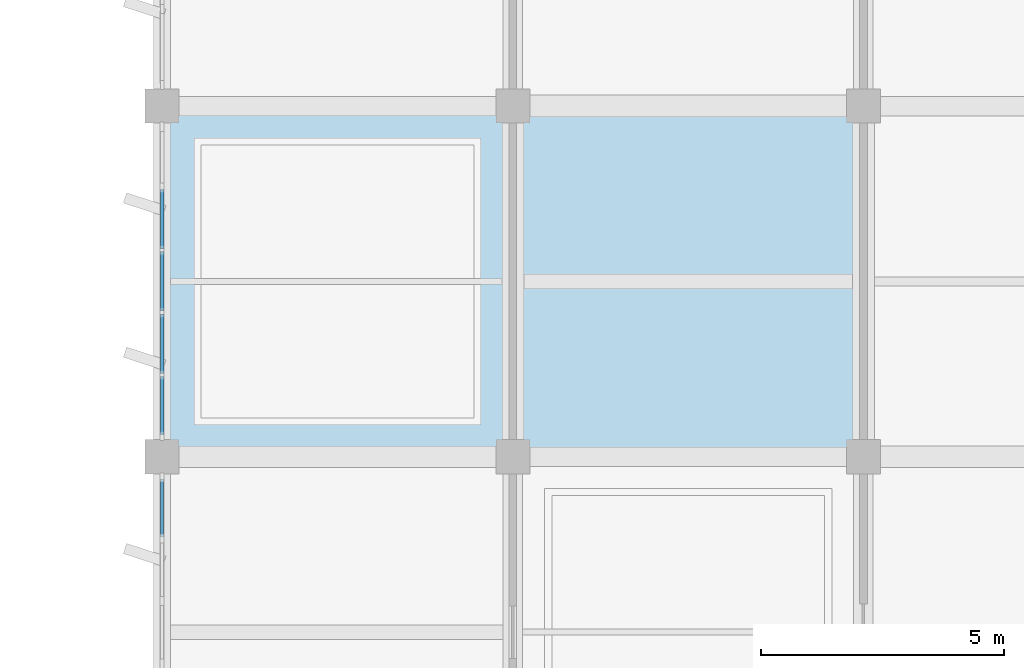
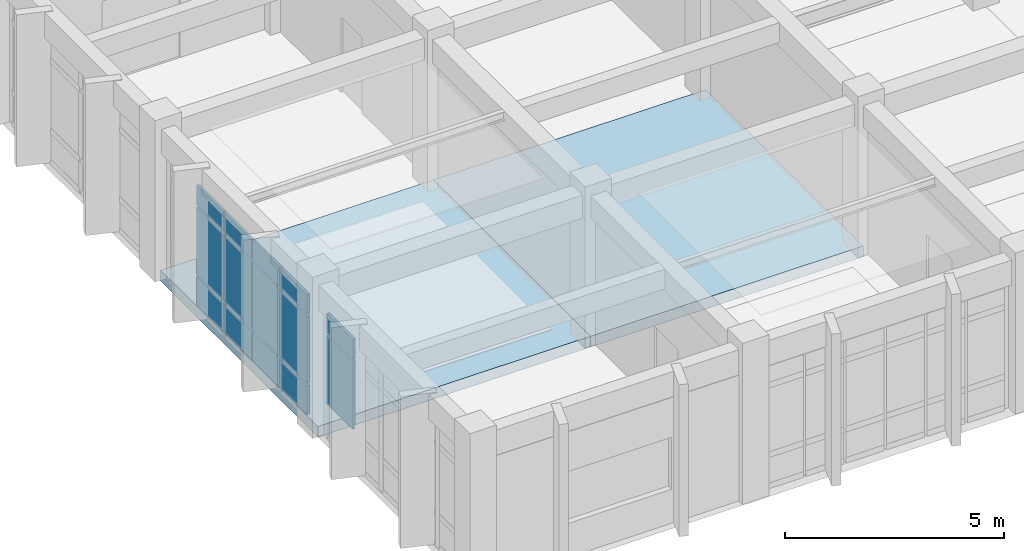
# One storey, part 44 of 81: 14 plates, 2 slabs, 2 elements without a shape of their own.
"""IFC4 building model written with IfcOpenShell, lengths in metres."""

from ifc_helpers import new_model, si_unit, direction, frame, origin, origin_2d, place, context, subcontext, project, spatial, polyline, rectangle, outline, extrude, material, layer, layer_set, type_object, element, aggregate, save


model = new_model("IFC4")

# Units and contexts
model_context = context("Model", 3, precision=1e-05, world=origin(), true_north=direction((0.0, 1.0)))
body_context = subcontext(model_context, "Body", "Model", "MODEL_VIEW")
ifc_project = project(units=[si_unit("LENGTHUNIT", "METRE"), si_unit("AREAUNIT", "SQUARE_METRE"), si_unit("VOLUMEUNIT", "CUBIC_METRE"), si_unit("PLANEANGLEUNIT", "RADIAN"), si_unit("MASSUNIT", "GRAM", prefix="KILO")], contexts=[model_context])

# Site, building, storey
site_placement = place(None, origin())
site = spatial("IfcSite", under=ifc_project, at=site_placement, CompositionType="ELEMENT")
building_placement = place(site_placement, origin())
building = spatial("IfcBuilding", under=site, at=building_placement, Name="Kavelor Marine Aquarium", CompositionType="ELEMENT")
storey_placement = place(building_placement, frame((0.0, 0.0, 4.679931640625)))
storey = spatial("IfcBuildingStorey", under=building, at=storey_placement, Name="L01", CompositionType="ELEMENT", Elevation=4.679931640625)

# Curtain wall, plates
ifc_material_1 = material(Name="Thermally Broken Aluminium and Low-E Glass", Category="aluminium")
ifc_layer_1 = layer(ifc_material_1, 0.2041015625)
ifc_layer_set_1 = layer_set([ifc_layer_1], Name="CW-SYS8")
curtain_wall_type_1 = type_object("IfcCurtainWallType", Name="CW-SYS8", PredefinedType="USERDEFINED", material=ifc_layer_set_1)
curtain_wall_1_placement = place(storey_placement, origin())
curtain_wall_1 = element("IfcCurtainWall", 1, at=curtain_wall_1_placement, inside=storey, type_object=curtain_wall_type_1, Name="cw:y:L01:16_07", ObjectType="Curtain Wall", PredefinedType="USERDEFINED")
ifc_material_2 = material(Name="Solar-Control Double Low-E Glazing", Category="glass")
ifc_layer_2 = layer(ifc_material_2, 0.06396484375)
ifc_layer_set_2 = layer_set([ifc_layer_2], Name="CWP-20")
plate_type_1 = type_object("IfcPlateType", Name="CWP-20", PredefinedType="CURTAIN_PANEL", material=ifc_layer_set_2)
plate_1_placement = place(storey_placement, frame((118.39990234375, 59.34765625, 0.9326171875), z_axis=(0.0, 0.0, 1.0), x_axis=(0.0, -1.0, 0.0)))
plate_1 = element("IfcPlate", 2, at=plate_1_placement, type_object=plate_type_1, Name="CW08 panel 1.2", PredefinedType="CURTAIN_PANEL", context=body_context, shape_type="SweptSolid", body=[
    extrude(rectangle(XDim=1.1845703125, YDim=0.06396484375, at=origin_2d()), origin(), (0.0, 0.0, 1.0), 1.89501953125),
])
plate_2_placement = place(storey_placement, frame((118.39990234375, 59.34765625, 2.892578125), z_axis=(0.0, 0.0, 1.0), x_axis=(0.0, -1.0, 0.0)))
plate_2 = element("IfcPlate", 3, at=plate_2_placement, type_object=plate_type_1, Name="CW08 panel 1.3", PredefinedType="CURTAIN_PANEL", context=body_context, shape_type="SweptSolid", body=[
    extrude(rectangle(XDim=1.1845703125, YDim=0.06396484375, at=origin_2d()), origin(), (0.0, 0.0, 1.0), 0.552490234375),
])
aggregate(curtain_wall_1, [plate_1, plate_2])

ifc_material_3 = material(Name="Thermally Broken Aluminium and Low-E Glass", Category="aluminium")
ifc_layer_3 = layer(ifc_material_3, 0.2119140625)
ifc_layer_set_3 = layer_set([ifc_layer_3], Name="CW-SYS9")
curtain_wall_type_2 = type_object("IfcCurtainWallType", Name="CW-SYS9", PredefinedType="USERDEFINED", material=ifc_layer_set_3)
curtain_wall_2_placement = place(storey_placement, origin())
curtain_wall_2 = element("IfcCurtainWall", 4, at=curtain_wall_2_placement, inside=storey, type_object=curtain_wall_type_2, Name="cw:y:L01:16_08", ObjectType="Curtain Wall", PredefinedType="USERDEFINED")
ifc_material_4 = material(Name="Solar-Control Double Low-E Glazing", Category="glass")
ifc_layer_4 = layer(ifc_material_4, 0.06591796875)
ifc_layer_set_4 = layer_set([ifc_layer_4], Name="CWP-21")
plate_type_2 = type_object("IfcPlateType", Name="CWP-21", PredefinedType="CURTAIN_PANEL", material=ifc_layer_set_4)
plate_3_placement = place(storey_placement, frame((118.39990234375, 65.281982421875, 0.06494140625), z_axis=(0.0, 0.0, 1.0), x_axis=(0.0, -1.0, 0.0)))
plate_3 = element("IfcPlate", 5, at=plate_3_placement, type_object=plate_type_2, Name="CW09 panel 2.1", PredefinedType="CURTAIN_PANEL", context=body_context, shape_type="SweptSolid", body=[
    extrude(rectangle(XDim=1.221923828125, YDim=0.06591796875, at=origin_2d()), origin(), (0.0, 0.0, 1.0), 0.802490234375),
])
plate_4_placement = place(storey_placement, frame((118.39990234375, 65.281982421875, 0.9326171875), z_axis=(0.0, 0.0, 1.0), x_axis=(0.0, -1.0, 0.0)))
plate_4 = element("IfcPlate", 6, at=plate_4_placement, type_object=plate_type_2, Name="CW09 panel 2.2", PredefinedType="CURTAIN_PANEL", context=body_context, shape_type="SweptSolid", body=[
    extrude(rectangle(XDim=1.221923828125, YDim=0.06591796875, at=origin_2d()), origin(), (0.0, 0.0, 1.0), 1.875),
])
plate_5_placement = place(storey_placement, frame((118.39990234375, 65.281982421875, 2.87255859375), z_axis=(0.0, 0.0, 1.0), x_axis=(0.0, -1.0, 0.0)))
plate_5 = element("IfcPlate", 7, at=plate_5_placement, type_object=plate_type_2, Name="CW09 panel 2.3", PredefinedType="CURTAIN_PANEL", context=body_context, shape_type="SweptSolid", body=[
    extrude(rectangle(XDim=1.221923828125, YDim=0.06591796875, at=origin_2d()), origin(), (0.0, 0.0, 1.0), 0.552490234375),
])
plate_6_placement = place(storey_placement, frame((118.39990234375, 64.0, 0.06494140625), z_axis=(0.0, 0.0, 1.0), x_axis=(0.0, -1.0, 0.0)))
plate_6 = element("IfcPlate", 8, at=plate_6_placement, type_object=plate_type_2, Name="CW09 panel 3.1", PredefinedType="CURTAIN_PANEL", context=body_context, shape_type="SweptSolid", body=[
    extrude(rectangle(XDim=1.221923828125, YDim=0.06591796875, at=origin_2d()), origin(), (0.0, 0.0, 1.0), 0.802490234375),
])
plate_7_placement = place(storey_placement, frame((118.39990234375, 64.0, 0.9326171875), z_axis=(0.0, 0.0, 1.0), x_axis=(0.0, -1.0, 0.0)))
plate_7 = element("IfcPlate", 9, at=plate_7_placement, type_object=plate_type_2, Name="CW09 panel 3.2", PredefinedType="CURTAIN_PANEL", context=body_context, shape_type="SweptSolid", body=[
    extrude(rectangle(XDim=1.221923828125, YDim=0.06591796875, at=origin_2d()), origin(), (0.0, 0.0, 1.0), 1.875),
])
plate_8_placement = place(storey_placement, frame((118.39990234375, 64.0, 2.87255859375), z_axis=(0.0, 0.0, 1.0), x_axis=(0.0, -1.0, 0.0)))
plate_8 = element("IfcPlate", 10, at=plate_8_placement, type_object=plate_type_2, Name="CW09 panel 3.3", PredefinedType="CURTAIN_PANEL", context=body_context, shape_type="SweptSolid", body=[
    extrude(rectangle(XDim=1.221923828125, YDim=0.06591796875, at=origin_2d()), origin(), (0.0, 0.0, 1.0), 0.552490234375),
])
plate_9_placement = place(storey_placement, frame((118.39990234375, 62.718017578125, 0.06494140625), z_axis=(0.0, 0.0, 1.0), x_axis=(0.0, -1.0, 0.0)))
plate_9 = element("IfcPlate", 11, at=plate_9_placement, type_object=plate_type_2, Name="CW09 panel 4.1", PredefinedType="CURTAIN_PANEL", context=body_context, shape_type="SweptSolid", body=[
    extrude(rectangle(XDim=1.221923828125, YDim=0.06591796875, at=origin_2d()), origin(), (0.0, 0.0, 1.0), 0.802490234375),
])
plate_10_placement = place(storey_placement, frame((118.39990234375, 62.718017578125, 0.9326171875), z_axis=(0.0, 0.0, 1.0), x_axis=(0.0, -1.0, 0.0)))
plate_10 = element("IfcPlate", 12, at=plate_10_placement, type_object=plate_type_2, Name="CW09 panel 4.2", PredefinedType="CURTAIN_PANEL", context=body_context, shape_type="SweptSolid", body=[
    extrude(rectangle(XDim=1.221923828125, YDim=0.06591796875, at=origin_2d()), origin(), (0.0, 0.0, 1.0), 1.875),
])
plate_11_placement = place(storey_placement, frame((118.39990234375, 62.718017578125, 2.87255859375), z_axis=(0.0, 0.0, 1.0), x_axis=(0.0, -1.0, 0.0)))
plate_11 = element("IfcPlate", 13, at=plate_11_placement, type_object=plate_type_2, Name="CW09 panel 4.3", PredefinedType="CURTAIN_PANEL", context=body_context, shape_type="SweptSolid", body=[
    extrude(rectangle(XDim=1.221923828125, YDim=0.06591796875, at=origin_2d()), origin(), (0.0, 0.0, 1.0), 0.552490234375),
])
plate_12_placement = place(storey_placement, frame((118.39990234375, 61.450927734375, 0.06494140625), z_axis=(0.0, 0.0, 1.0), x_axis=(0.0, -1.0, 0.0)))
plate_12 = element("IfcPlate", 14, at=plate_12_placement, type_object=plate_type_2, Name="CW09 panel 5.1", PredefinedType="CURTAIN_PANEL", context=body_context, shape_type="SweptSolid", body=[
    extrude(rectangle(XDim=1.19189453125, YDim=0.06591796875, at=origin_2d()), origin(), (0.0, 0.0, 1.0), 0.802490234375),
])
plate_13_placement = place(storey_placement, frame((118.39990234375, 61.450927734375, 0.9326171875), z_axis=(0.0, 0.0, 1.0), x_axis=(0.0, -1.0, 0.0)))
plate_13 = element("IfcPlate", 15, at=plate_13_placement, type_object=plate_type_2, Name="CW09 panel 5.2", PredefinedType="CURTAIN_PANEL", context=body_context, shape_type="SweptSolid", body=[
    extrude(rectangle(XDim=1.19189453125, YDim=0.06591796875, at=origin_2d()), origin(), (0.0, 0.0, 1.0), 1.875),
])
plate_14_placement = place(storey_placement, frame((118.39990234375, 61.450927734375, 2.87255859375), z_axis=(0.0, 0.0, 1.0), x_axis=(0.0, -1.0, 0.0)))
plate_14 = element("IfcPlate", 16, at=plate_14_placement, type_object=plate_type_2, Name="CW09 panel 5.3", PredefinedType="CURTAIN_PANEL", context=body_context, shape_type="SweptSolid", body=[
    extrude(rectangle(XDim=1.19189453125, YDim=0.06591796875, at=origin_2d()), origin(), (0.0, 0.0, 1.0), 0.552490234375),
])
aggregate(curtain_wall_2, [plate_3, plate_4, plate_5, plate_6, plate_7, plate_8, plate_9, plate_10, plate_11, plate_12, plate_13, plate_14])

# Slabs
ifc_material_5 = material(Name="Concrete C40/50", Category="concrete")
ifc_layer_5 = layer(ifc_material_5, 0.300048828125)
ifc_layer_set_5 = layer_set([ifc_layer_5], Name="SL-FL1")
slab_type = type_object("IfcSlabType", Name="SL-FL1", PredefinedType="FLOOR", material=ifc_layer_set_5)
slab_1_placement = place(storey_placement, frame((0.0, 0.0, -0.300048828125)))
element("IfcSlab", 17, at=slab_1_placement, inside=storey, type_object=slab_type, Name="slab:L01:16_08", PredefinedType="FLOOR", context=body_context, shape_type="SweptSolid", body=[
    extrude(outline(polyline([(118.39990234375, 60.39990234375), (125.60009765625, 60.39990234375), (125.60009765625, 67.60009765625), (118.39990234375, 67.60009765625), (118.39990234375, 60.39990234375)])), origin(), (0.0, 0.0, 1.0), 0.300048828125),
])
slab_2_placement = place(storey_placement, frame((0.0, 0.0, -0.300048828125)))
element("IfcSlab", 18, at=slab_2_placement, inside=storey, type_object=slab_type, Name="slab:L01:17_08", PredefinedType="FLOOR", context=body_context, shape_type="SweptSolid", body=[
    extrude(outline(polyline([(125.60009765625, 60.39990234375), (132.800048828125, 60.39990234375), (132.800048828125, 67.60009765625), (125.60009765625, 67.60009765625), (125.60009765625, 60.39990234375)])), origin(), (0.0, 0.0, 1.0), 0.300048828125),
])

save(model, "model.ifc")
